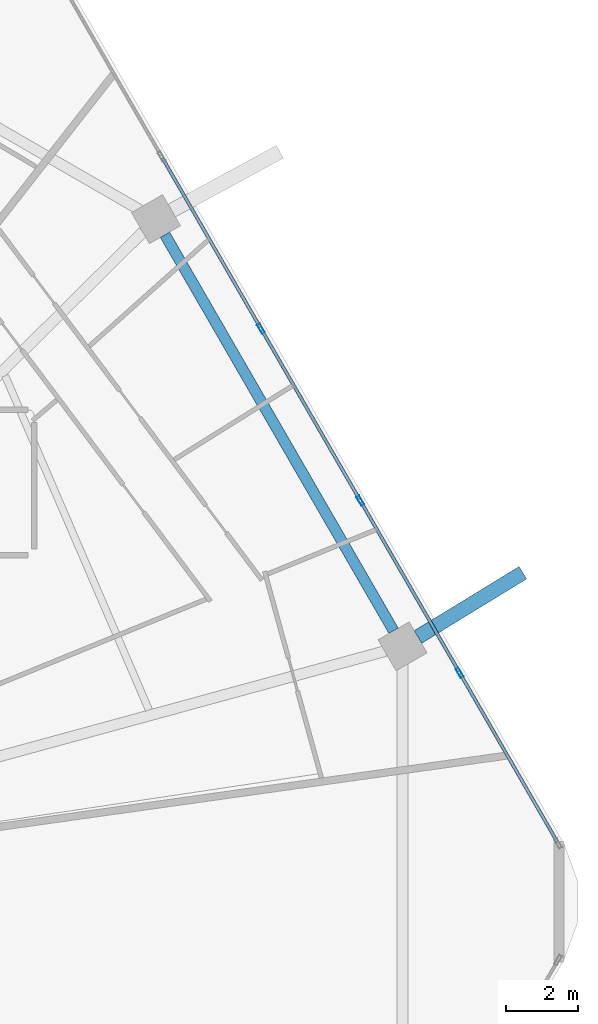
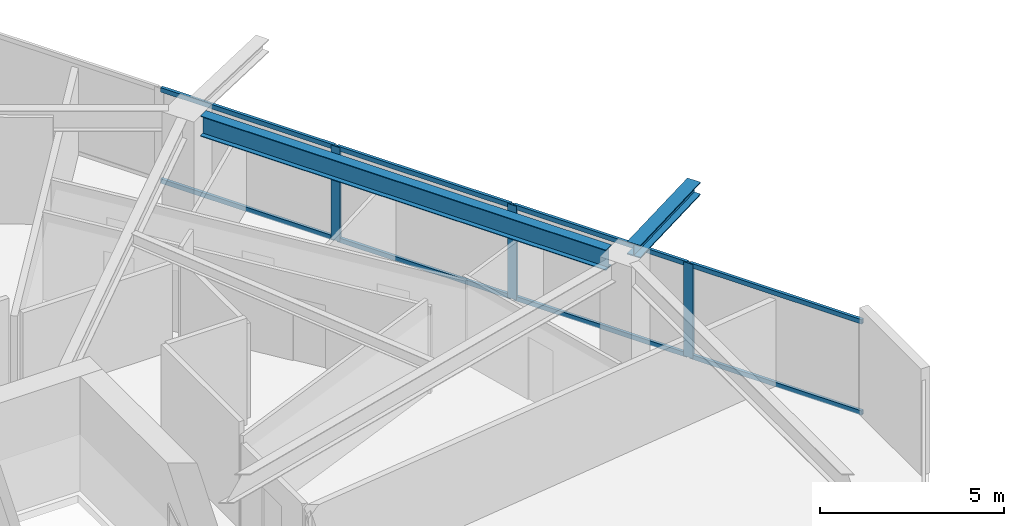
# One storey, part 14 of 25: 11 members, 2 beams, 1 element without a shape of its own.
"""IFC4 building model written with IfcOpenShell, lengths in metres."""

from ifc_helpers import new_model, si_unit, direction, frame, origin, origin_2d, place, context, subcontext, project, spatial, hollow_rectangle, i_section, extrude, material, material_profile, profile_set, type_object, element, aggregate, save


model = new_model("IFC4")

# Units and contexts
model_context = context("Model", 3, precision=1e-05, world=origin(), true_north=direction((0.0, 1.0)))
body_context = subcontext(model_context, "Body", "Model", "MODEL_VIEW")
ifc_project = project(units=[si_unit("LENGTHUNIT", "METRE"), si_unit("AREAUNIT", "SQUARE_METRE"), si_unit("VOLUMEUNIT", "CUBIC_METRE"), si_unit("PLANEANGLEUNIT", "RADIAN"), si_unit("MASSUNIT", "GRAM", prefix="KILO")], contexts=[model_context])

# Site, building, storey
site_placement = place(None, origin())
site = spatial("IfcSite", under=ifc_project, at=site_placement, CompositionType="ELEMENT")
building_placement = place(site_placement, origin())
building = spatial("IfcBuilding", under=site, at=building_placement, Name="Zuhravey Tower", CompositionType="ELEMENT")
storey_placement = place(building_placement, frame((0.0, 0.0, 150.39990234375)))
storey = spatial("IfcBuildingStorey", under=building, at=storey_placement, Name="L37", CompositionType="ELEMENT", Elevation=150.39990234375)

# Curtain wall, members
ifc_material_1 = material(Name="Thermally broken anodised aluminium", Category="aluminium")
curtain_wall_type = type_object("IfcCurtainWallType", Name="Zone 1-2 Residential Curtain Wall CW3", PredefinedType="NOTDEFINED", material=ifc_material_1)
curtain_wall_placement = place(storey_placement, origin())
curtain_wall = element("IfcCurtainWall", 1, at=curtain_wall_placement, inside=storey, type_object=curtain_wall_type, Name="L37 CW3 CW-L37-F1-1", PredefinedType="NOTDEFINED")
ifc_material_2 = material(Name="Anodised aluminium", Category="aluminium")
ifc_material_profile_1 = material_profile(ifc_material_2, hollow_rectangle(XDim=0.090087890625, YDim=0.284912109375, WallThickness=0.0048828125, at=origin_2d()), Name="ALU-RHS-90x285x5")
ifc_profile_set_1 = profile_set([ifc_material_profile_1], Name="Anodised aluminium")
member_type_1 = type_object("IfcMemberType", Name="Curtain-Wall Mullion 90x180", PredefinedType="MULLION", material=ifc_profile_set_1)
member_1_placement = place(storey_placement, frame((58.155029296875, 47.992431640625, 0.0), z_axis=(0.0, 0.0, 1.0), x_axis=(0.866025138215, 0.500000459979, 0.0)))
member_1 = element("IfcMember", 2, at=member_1_placement, type_object=member_type_1, Name="CW3 mullion 3", PredefinedType="MULLION", context=body_context, shape_type="SweptSolid", body=[
    extrude(hollow_rectangle(XDim=0.090087890625, YDim=0.284912109375, WallThickness=0.0048828125, at=origin_2d()), origin(), (0.0, 0.0, 1.0), 3.1220703125),
])
member_2_placement = place(storey_placement, frame((60.92724609375, 43.190673828125, 0.0), z_axis=(0.0, 0.0, 1.0), x_axis=(0.866025138215, 0.500000459979, 0.0)))
member_2 = element("IfcMember", 3, at=member_2_placement, type_object=member_type_1, Name="CW3 mullion 4", PredefinedType="MULLION", context=body_context, shape_type="SweptSolid", body=[
    extrude(hollow_rectangle(XDim=0.090087890625, YDim=0.284912109375, WallThickness=0.0048828125, at=origin_2d()), origin(), (0.0, 0.0, 1.0), 3.1220703125),
])
member_3_placement = place(storey_placement, frame((63.699462890625, 38.38916015625, 0.0), z_axis=(0.0, 0.0, 1.0), x_axis=(0.866025138215, 0.500000459979, 0.0)))
member_3 = element("IfcMember", 4, at=member_3_placement, type_object=member_type_1, Name="CW3 mullion 5", PredefinedType="MULLION", context=body_context, shape_type="SweptSolid", body=[
    extrude(hollow_rectangle(XDim=0.090087890625, YDim=0.284912109375, WallThickness=0.0048828125, at=origin_2d()), origin(), (0.0, 0.0, 1.0), 3.1220703125),
])
ifc_material_profile_2 = material_profile(ifc_material_2, hollow_rectangle(XDim=0.090087890625, YDim=0.14990234375, WallThickness=0.0048828125, at=origin_2d()), Name="ALU-RHS-90x150x5")
ifc_profile_set_2 = profile_set([ifc_material_profile_2], Name="Anodised aluminium")
member_type_2 = type_object("IfcMemberType", Name="Curtain-Wall Transom 90x150", PredefinedType="USERDEFINED", material=ifc_profile_set_2)
member_4_placement = place(storey_placement, frame((55.405517578125, 52.755126953125, 0.045166015625), z_axis=(0.49996138257, -0.86604769842, 0.0), x_axis=(0.86604769842, 0.49996138257, 0.0)))
member_4 = element("IfcMember", 5, at=member_4_placement, type_object=member_type_2, Name="CW3 transom 2.1", ObjectType="TRANSOM", PredefinedType="USERDEFINED", context=body_context, shape_type="SweptSolid", body=[
    extrude(hollow_rectangle(XDim=0.090087890625, YDim=0.14990234375, WallThickness=0.0048828125, at=origin_2d()), origin(), (0.0, 0.0, 1.0), 5.45458984375),
])
member_5_placement = place(storey_placement, frame((55.405517578125, 52.755126953125, 3.0771484375), z_axis=(0.49996138257, -0.86604769842, 0.0), x_axis=(0.86604769842, 0.49996138257, 0.0)))
member_5 = element("IfcMember", 6, at=member_5_placement, type_object=member_type_2, Name="CW3 transom 2.2", ObjectType="TRANSOM", PredefinedType="USERDEFINED", context=body_context, shape_type="SweptSolid", body=[
    extrude(hollow_rectangle(XDim=0.090087890625, YDim=0.14990234375, WallThickness=0.0048828125, at=origin_2d()), origin(), (0.0, 0.0, 1.0), 5.45458984375),
])
member_6_placement = place(storey_placement, frame((58.177734375, 47.953369140625, 0.045166015625), z_axis=(0.499980763544, -0.866036509673, 0.0), x_axis=(0.866036509673, 0.499980763544, 0.0)))
member_6 = element("IfcMember", 7, at=member_6_placement, type_object=member_type_2, Name="CW3 transom 3.1", ObjectType="TRANSOM", PredefinedType="USERDEFINED", context=body_context, shape_type="SweptSolid", body=[
    extrude(hollow_rectangle(XDim=0.090087890625, YDim=0.14990234375, WallThickness=0.0048828125, at=origin_2d()), origin(), (0.0, 0.0, 1.0), 5.454345703125),
])
member_7_placement = place(storey_placement, frame((58.177734375, 47.953369140625, 3.0771484375), z_axis=(0.499980763544, -0.866036509673, 0.0), x_axis=(0.866036509673, 0.499980763544, 0.0)))
member_7 = element("IfcMember", 8, at=member_7_placement, type_object=member_type_2, Name="CW3 transom 3.2", ObjectType="TRANSOM", PredefinedType="USERDEFINED", context=body_context, shape_type="SweptSolid", body=[
    extrude(hollow_rectangle(XDim=0.090087890625, YDim=0.14990234375, WallThickness=0.0048828125, at=origin_2d()), origin(), (0.0, 0.0, 1.0), 5.454345703125),
])
member_8_placement = place(storey_placement, frame((60.949951171875, 43.15185546875, 0.045166015625), z_axis=(0.49996138257, -0.86604769842, 0.0), x_axis=(0.86604769842, 0.49996138257, 0.0)))
member_8 = element("IfcMember", 9, at=member_8_placement, type_object=member_type_2, Name="CW3 transom 4.1", ObjectType="TRANSOM", PredefinedType="USERDEFINED", context=body_context, shape_type="SweptSolid", body=[
    extrude(hollow_rectangle(XDim=0.090087890625, YDim=0.14990234375, WallThickness=0.0048828125, at=origin_2d()), origin(), (0.0, 0.0, 1.0), 5.45458984375),
])
member_9_placement = place(storey_placement, frame((60.949951171875, 43.15185546875, 3.0771484375), z_axis=(0.49996138257, -0.86604769842, 0.0), x_axis=(0.86604769842, 0.49996138257, 0.0)))
member_9 = element("IfcMember", 10, at=member_9_placement, type_object=member_type_2, Name="CW3 transom 4.2", ObjectType="TRANSOM", PredefinedType="USERDEFINED", context=body_context, shape_type="SweptSolid", body=[
    extrude(hollow_rectangle(XDim=0.090087890625, YDim=0.14990234375, WallThickness=0.0048828125, at=origin_2d()), origin(), (0.0, 0.0, 1.0), 5.45458984375),
])
member_10_placement = place(storey_placement, frame((63.72216796875, 38.35009765625, 0.045166015625), z_axis=(0.499993332629, -0.866029253159, 0.0), x_axis=(0.866029253159, 0.499993332629, 0.0)))
member_10 = element("IfcMember", 11, at=member_10_placement, type_object=member_type_2, Name="CW3 transom 5.1", ObjectType="TRANSOM", PredefinedType="USERDEFINED", context=body_context, shape_type="SweptSolid", body=[
    extrude(hollow_rectangle(XDim=0.090087890625, YDim=0.14990234375, WallThickness=0.0048828125, at=origin_2d()), origin(), (0.0, 0.0, 1.0), 5.4091796875),
])
member_11_placement = place(storey_placement, frame((63.72216796875, 38.35009765625, 3.0771484375), z_axis=(0.499993332629, -0.866029253159, 0.0), x_axis=(0.866029253159, 0.499993332629, 0.0)))
member_11 = element("IfcMember", 12, at=member_11_placement, type_object=member_type_2, Name="CW3 transom 5.2", ObjectType="TRANSOM", PredefinedType="USERDEFINED", context=body_context, shape_type="SweptSolid", body=[
    extrude(hollow_rectangle(XDim=0.090087890625, YDim=0.14990234375, WallThickness=0.0048828125, at=origin_2d()), origin(), (0.0, 0.0, 1.0), 5.4091796875),
])
aggregate(curtain_wall, [member_1, member_2, member_3, member_4, member_5, member_6, member_7, member_8, member_9, member_10, member_11])

# Beams
ifc_material_3 = material(Name="Steel SM460", Category="steel")
ifc_material_profile_3 = material_profile(ifc_material_3, i_section(OverallWidth=0.406982421875, OverallDepth=0.427978515625, WebThickness=0.02001953125, FlangeThickness=0.034912109375, at=origin_2d()), Name="H-428x407x20x35")
ifc_profile_set_3 = profile_set([ifc_material_profile_3], Name="Steel SM460")
beam_type_1 = type_object("IfcBeamType", Name="Exoskeleton Node Tie Beam H428x407", PredefinedType="BEAM", material=ifc_profile_set_3)
beam_1_placement = place(storey_placement, frame((62.53759765625, 39.3896484375, 3.336181640625), z_axis=(0.852959892728, 0.521976456746, 0.0), x_axis=(-0.521976456746, 0.852959892728, 0.0)))
element("IfcBeam", 13, at=beam_1_placement, inside=storey, type_object=beam_type_1, Name="L37 Exoskeleton Node Tie NT1-01", PredefinedType="BEAM", context=body_context, shape_type="SweptSolid", body=[
    extrude(i_section(OverallWidth=0.406982421875, OverallDepth=0.427978515625, WebThickness=0.02001953125, FlangeThickness=0.034912109375, at=origin_2d()), origin(), (0.0, 0.0, 1.0), 3.43212890625),
])
ifc_material_4 = material(Name="Steel SM355", Category="steel")
ifc_material_profile_4 = material_profile(ifc_material_4, i_section(OverallWidth=0.300048828125, OverallDepth=0.679931640625, WebThickness=0.012939453125, FlangeThickness=0.02197265625, at=origin_2d()), Name="H-680x300x13x22")
ifc_profile_set_4 = profile_set([ifc_material_profile_4], Name="Steel SM355")
beam_type_2 = type_object("IfcBeamType", Name="Perimeter Ring Beam H680x300", PredefinedType="BEAM", material=ifc_profile_set_4)
beam_2_placement = place(storey_placement, frame((61.856201171875, 39.56201171875, 3.210205078125), z_axis=(-0.499997974489, 0.866026573211, 0.0), x_axis=(-0.866026573211, -0.499997974489, 0.0)))
element("IfcBeam", 14, at=beam_2_placement, inside=storey, type_object=beam_type_2, Name="L37 PB2 BM-L37-PB-01", PredefinedType="BEAM", context=body_context, shape_type="SweptSolid", body=[
    extrude(i_section(OverallWidth=0.300048828125, OverallDepth=0.679931640625, WebThickness=0.012939453125, FlangeThickness=0.02197265625, at=origin_2d()), origin(), (0.0, 0.0, 1.0), 12.75830078125),
])

save(model, "model.ifc")
